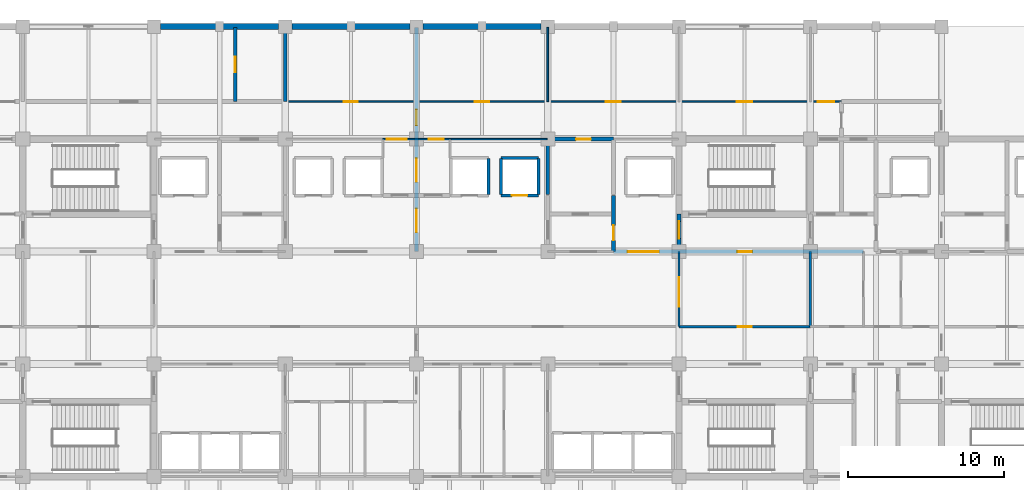
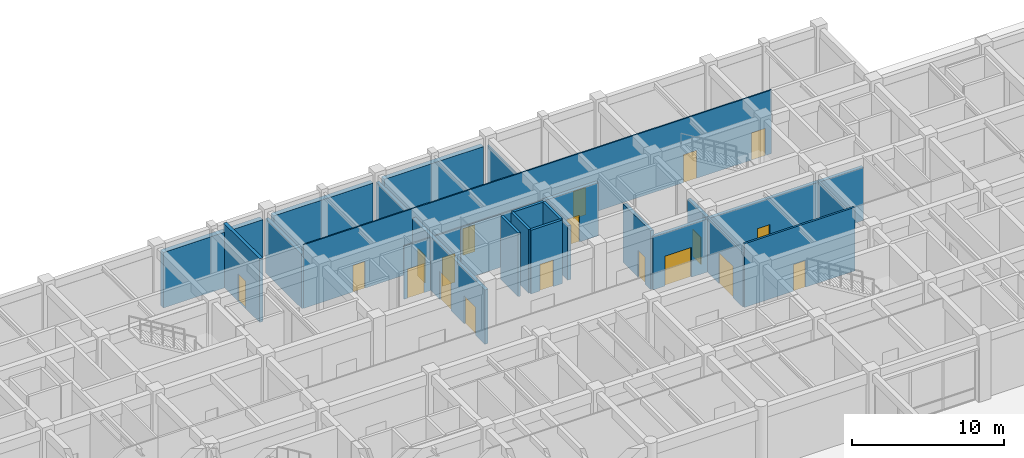
# One storey, part 51 of 73: 23 walls, 19 doors, 19 openings.
"""IFC4 building model written with IfcOpenShell, lengths in metres."""

from ifc_helpers import new_model, si_unit, direction, frame, frame_2d, origin, place, context, subcontext, project, spatial, rectangle, extrude, material, layer, layer_set, type_object, element, fill, save


model = new_model("IFC4")

# Units and contexts
model_context = context("Model", 3, precision=1e-05, world=origin(), true_north=direction((0.0, 1.0)))
body_context = subcontext(model_context, "Body", "Model", "MODEL_VIEW")
ifc_project = project(units=[si_unit("LENGTHUNIT", "METRE"), si_unit("AREAUNIT", "SQUARE_METRE"), si_unit("VOLUMEUNIT", "CUBIC_METRE"), si_unit("PLANEANGLEUNIT", "RADIAN"), si_unit("MASSUNIT", "GRAM", prefix="KILO")], contexts=[model_context])

# Site, building, storey
site_placement = place(None, origin())
site = spatial("IfcSite", under=ifc_project, at=site_placement, CompositionType="ELEMENT")
building_placement = place(site_placement, origin())
building = spatial("IfcBuilding", under=site, at=building_placement, Name="Chengyuan Square Courthouse", CompositionType="ELEMENT")
storey_placement = place(building_placement, origin())
storey = spatial("IfcBuildingStorey", under=building, at=storey_placement, Name="L01", CompositionType="ELEMENT", Elevation=0.0)

# Walls
ifc_material_1 = material(Name="Concrete C40", Category="concrete")
ifc_layer_1 = layer(ifc_material_1, 0.3798828125)
ifc_layer_set_1 = layer_set([ifc_layer_1], Name="Concrete C40")
wall_type_1 = type_object("IfcWallType", Name="WL-EW1", PredefinedType="STANDARD", material=ifc_layer_set_1)
wall_1_placement = place(storey_placement, frame((67.6201171875, 115.199951171875, 0.0), z_axis=(0.0, 0.0, 1.0), x_axis=(1.0, 0.0, 0.0)))
element("IfcWall", 1, at=wall_1_placement, inside=storey, type_object=wall_type_1, Name="Exterior Wall WL-L01-E172", PredefinedType="STANDARD", context=body_context, shape_type="SweptSolid", body=[
    extrude(rectangle(XDim=7.559814453125, YDim=0.3798828125, at=frame_2d((3.77978515625, 0.0))), origin(), (0.0, 0.0, 1.0), 4.469970703125),
])
for number, where, z_axis, x_axis, name in (
    (2, (76.02001953125, 115.199951171875, 0.0), (0.0, 0.0, 1.0), (1.0, 0.0, 0.0), "Exterior Wall WL-L01-E174"),
    (3, (84.419921875, 115.199951171875, 0.0), (0.0, 0.0, 1.0), (1.0, 0.0, 0.0), "Exterior Wall WL-L01-E176"),
):
    element("IfcWall", number, at=place(storey_placement, frame(where, z_axis=z_axis, x_axis=x_axis)), inside=storey, type_object=wall_type_1, Name=name, PredefinedType="STANDARD", context=body_context, shape_type="SweptSolid", body=[
        extrude(rectangle(XDim=7.56005859375, YDim=0.3798828125, at=frame_2d((3.780029296875, 0.0))), origin(), (0.0, 0.0, 1.0), 4.469970703125),
    ])

# Wall, openings, doors
ifc_layer_2 = layer(ifc_material_1, 0.25)
ifc_layer_set_2 = layer_set([ifc_layer_2], Name="Concrete C40")
wall_type_2 = type_object("IfcWallType", Name="WL-FW1", PredefinedType="STANDARD", material=ifc_layer_set_2)
wall_2_placement = place(storey_placement, frame((96.60009765625, 100.800048828125, 0.0), z_axis=(0.0, 0.0, 1.0), x_axis=(1.0, 0.0, 0.0)))
wall_2 = element("IfcWall", 4, at=wall_2_placement, inside=storey, type_object=wall_type_2, Name="Interior Wall WL-L01-I761", PredefinedType="STANDARD", context=body_context, shape_type="SweptSolid", body=[
    extrude(rectangle(XDim=16.0, YDim=0.25, at=frame_2d((8.0, 0.0))), origin(), (0.0, 0.0, 1.0), 4.27001953125),
])
opening_1_placement = place(wall_2_placement, frame((7.925048828125, 0.0, 0.0)))
opening_1 = element("IfcOpeningElement", 5, at=opening_1_placement, cuts=wall_2, Name="Opening DR-673", PredefinedType="OPENING", context=body_context, shape_type="SweptSolid", body=[
    extrude(rectangle(XDim=0.949951171875, YDim=2.14990234375, at=frame_2d((0.47509765625, 1.074951171875))), frame((0.0, 0.136962890625, 0.0), z_axis=(0.0, -1.0, 0.0), x_axis=(1.0, 0.0, 0.0)), (0.0, 0.0, 1.0), 0.27392578125),
])
opening_2_placement = place(wall_2_placement, frame((0.9150390625, 0.0, 0.0)))
opening_2 = element("IfcOpeningElement", 6, at=opening_2_placement, cuts=wall_2, Name="Opening DR-722", PredefinedType="OPENING", context=body_context, shape_type="SweptSolid", body=[
    extrude(rectangle(XDim=2.0, YDim=2.39990234375, at=frame_2d((1.0, 1.199951171875))), frame((0.0, 0.136962890625, 0.0), z_axis=(0.0, -1.0, 0.0), x_axis=(1.0, 0.0, 0.0)), (0.0, 0.0, 1.0), 0.27392578125),
])
ifc_material_2 = material(Name="Steel Q235B Fire Door", Category="steel")
door_type_1 = type_object("IfcDoorType", Name="DT-12", OperationType="NOTDEFINED", PredefinedType="DOOR", material=ifc_material_2)
door_1_placement = place(opening_1_placement, origin())
door_1 = element("IfcDoor", 7, at=door_1_placement, inside=storey, type_object=door_type_1, Name="Interior Door DR-673", OperationType="SINGLE_SWING_RIGHT", OverallHeight=2.14990234375, OverallWidth=0.949951171875, PredefinedType="DOOR", context=body_context, shape_type="SweptSolid", body=[
    extrude(rectangle(XDim=0.949951171875, YDim=2.14990234375, at=frame_2d((0.47509765625, 1.074951171875))), frame((0.0, 0.02490234375, 0.0), z_axis=(0.0, -1.0, 0.0), x_axis=(1.0, 0.0, 0.0)), (0.0, 0.0, 1.0), 0.050048828125),
])
fill(opening_1, door_1)
ifc_material_3 = material(Name="Steel Q235B Glazed Fire Door", Category="steel")
door_type_2 = type_object("IfcDoorType", Name="DT-20", OperationType="DOUBLE_DOOR_SINGLE_SWING", PredefinedType="DOOR", material=ifc_material_3)
door_2_placement = place(opening_2_placement, frame((2.0, 0.0, 0.0), z_axis=(0.0, 0.0, 1.0), x_axis=(-1.0, 0.0, 0.0)))
door_2 = element("IfcDoor", 8, at=door_2_placement, inside=storey, type_object=door_type_2, Name="Interior Door DR-722", OperationType="DOUBLE_DOOR_SINGLE_SWING", OverallHeight=2.39990234375, OverallWidth=2.0, PredefinedType="DOOR", context=body_context, shape_type="SweptSolid", body=[
    extrude(rectangle(XDim=2.0, YDim=2.39990234375, at=frame_2d((1.0, 1.199951171875))), frame((0.0, 0.02490234375, 0.0), z_axis=(0.0, -1.0, 0.0), x_axis=(1.0, 0.0, 0.0)), (0.0, 0.0, 1.0), 0.050048828125),
])
fill(opening_2, door_2)

# Wall, opening, door
wall_3_placement = place(storey_placement, frame((92.39990234375, 108.0, 0.0), z_axis=(0.0, 0.0, 1.0), x_axis=(1.0, 0.0, 0.0)))
wall_3 = element("IfcWall", 9, at=wall_3_placement, inside=storey, type_object=wall_type_2, Name="Interior Wall WL-L01-I812", PredefinedType="STANDARD", context=body_context, shape_type="SweptSolid", body=[
    extrude(rectangle(XDim=4.2001953125, YDim=0.25, at=frame_2d((2.10009765625, 0.0))), origin(), (0.0, 0.0, 1.0), 4.27001953125),
])
opening_3_placement = place(wall_3_placement, frame((1.81005859375, 0.0, 0.0)))
opening_3 = element("IfcOpeningElement", 10, at=opening_3_placement, cuts=wall_3, Name="Opening DR-721", PredefinedType="OPENING", context=body_context, shape_type="SweptSolid", body=[
    extrude(rectangle(XDim=0.949951171875, YDim=2.14990234375, at=frame_2d((0.47509765625, 1.074951171875))), frame((0.0, 0.136962890625, 0.0), z_axis=(0.0, -1.0, 0.0), x_axis=(1.0, 0.0, 0.0)), (0.0, 0.0, 1.0), 0.27392578125),
])
door_3_placement = place(opening_3_placement, origin())
door_3 = element("IfcDoor", 11, at=door_3_placement, inside=storey, type_object=door_type_1, Name="Interior Door DR-721", OperationType="SINGLE_SWING_LEFT", OverallHeight=2.14990234375, OverallWidth=0.949951171875, PredefinedType="DOOR", context=body_context, shape_type="SweptSolid", body=[
    extrude(rectangle(XDim=0.949951171875, YDim=2.14990234375, at=frame_2d((0.47509765625, 1.074951171875))), frame((0.0, 0.02490234375, 0.0), z_axis=(0.0, -1.0, 0.0), x_axis=(1.0, 0.0, 0.0)), (0.0, 0.0, 1.0), 0.050048828125),
])
fill(opening_3, door_3)

wall_4_placement = place(storey_placement, frame((72.39990234375, 110.39990234375, 0.0), z_axis=(0.0, 0.0, 1.0), x_axis=(0.0, 1.0, 0.0)))
wall_4 = element("IfcWall", 12, at=wall_4_placement, inside=storey, type_object=wall_type_2, Name="Interior Wall WL-L01-I899", PredefinedType="STANDARD", context=body_context, shape_type="SweptSolid", body=[
    extrude(rectangle(XDim=4.760009765625, YDim=0.25, at=frame_2d((2.3798828125, 0.0))), origin(), (0.0, 0.0, 1.0), 5.1201171875),
])
opening_4_placement = place(wall_4_placement, frame((1.8798828125, 0.0, 0.0)))
opening_4 = element("IfcOpeningElement", 13, at=opening_4_placement, cuts=wall_4, Name="Opening DR-906", PredefinedType="OPENING", context=body_context, shape_type="SweptSolid", body=[
    extrude(rectangle(XDim=1.0, YDim=2.199951171875, at=frame_2d((0.5, 1.10009765625))), frame((0.0, 0.136962890625, 0.0), z_axis=(0.0, -1.0, 0.0), x_axis=(1.0, 0.0, 0.0)), (0.0, 0.0, 1.0), 0.27392578125),
])
door_type_3 = type_object("IfcDoorType", Name="DT-11", OperationType="NOTDEFINED", PredefinedType="DOOR", material=ifc_material_2)
door_4_placement = place(opening_4_placement, origin())
door_4 = element("IfcDoor", 14, at=door_4_placement, inside=storey, type_object=door_type_3, Name="Interior Door DR-906", OperationType="SINGLE_SWING_LEFT", OverallHeight=2.199951171875, OverallWidth=1.0, PredefinedType="DOOR", context=body_context, shape_type="SweptSolid", body=[
    extrude(rectangle(XDim=1.0, YDim=2.199951171875, at=frame_2d((0.5, 1.10009765625))), frame((0.0, 0.02490234375, 0.0), z_axis=(0.0, -1.0, 0.0), x_axis=(1.0, 0.0, 0.0)), (0.0, 0.0, 1.0), 0.050048828125),
])
fill(opening_4, door_4)

# Wall
wall_5_placement = place(storey_placement, frame((75.60009765625, 110.39990234375, 0.0), z_axis=(0.0, 0.0, 1.0), x_axis=(0.0, 1.0, 0.0)))
element("IfcWall", 15, at=wall_5_placement, inside=storey, type_object=wall_type_2, Name="Interior Wall WL-L01-I907", PredefinedType="STANDARD", context=body_context, shape_type="SweptSolid", body=[
    extrude(rectangle(XDim=4.760009765625, YDim=0.25, at=frame_2d((2.3798828125, 0.0))), origin(), (0.0, 0.0, 1.0), 4.3701171875),
])

# Wall, openings, doors
wall_6_placement = place(storey_placement, frame((84.0, 100.800048828125, 0.0), z_axis=(0.0, 0.0, 1.0), x_axis=(0.0, 1.0, 0.0)))
wall_6 = element("IfcWall", 16, at=wall_6_placement, inside=storey, type_object=wall_type_2, Name="Interior Wall WL-L01-I916", PredefinedType="STANDARD", context=body_context, shape_type="SweptSolid", body=[
    extrude(rectangle(XDim=14.35986328125, YDim=0.25, at=frame_2d((7.179931640625, 0.0))), origin(), (0.0, 0.0, 1.0), 4.3701171875),
])
opening_5_placement = place(wall_6_placement, frame((1.235107421875, 0.0, 0.0)))
opening_5 = element("IfcOpeningElement", 17, at=opening_5_placement, cuts=wall_6, Name="Opening DR-733", PredefinedType="OPENING", context=body_context, shape_type="SweptSolid", body=[
    extrude(rectangle(XDim=1.5, YDim=2.25, at=frame_2d((0.75, 1.125))), frame((0.0, 0.136962890625, 0.0), z_axis=(0.0, -1.0, 0.0), x_axis=(1.0, 0.0, 0.0)), (0.0, 0.0, 1.0), 0.27392578125),
])
opening_6_placement = place(wall_6_placement, frame((4.465087890625, 0.0, 0.0)))
opening_6 = element("IfcOpeningElement", 18, at=opening_6_placement, cuts=wall_6, Name="Opening DR-893", PredefinedType="OPENING", context=body_context, shape_type="SweptSolid", body=[
    extrude(rectangle(XDim=1.5, YDim=2.25, at=frame_2d((0.75, 1.125))), frame((0.0, 0.136962890625, 0.0), z_axis=(0.0, -1.0, 0.0), x_axis=(1.0, 0.0, 0.0)), (0.0, 0.0, 1.0), 0.27392578125),
])
opening_7_placement = place(wall_6_placement, frame((8.0849609375, 0.0, 0.0)))
opening_7 = element("IfcOpeningElement", 19, at=opening_7_placement, cuts=wall_6, Name="Opening DR-897", PredefinedType="OPENING", context=body_context, shape_type="SweptSolid", body=[
    extrude(rectangle(XDim=1.0, YDim=2.199951171875, at=frame_2d((0.5, 1.10009765625))), frame((0.0, 0.136962890625, 0.0), z_axis=(0.0, -1.0, 0.0), x_axis=(1.0, 0.0, 0.0)), (0.0, 0.0, 1.0), 0.27392578125),
])
door_5_placement = place(opening_7_placement, origin())
door_5 = element("IfcDoor", 20, at=door_5_placement, inside=storey, type_object=door_type_3, Name="Interior Door DR-897", OperationType="SINGLE_SWING_RIGHT", OverallHeight=2.199951171875, OverallWidth=1.0, PredefinedType="DOOR", context=body_context, shape_type="SweptSolid", body=[
    extrude(rectangle(XDim=1.0, YDim=2.199951171875, at=frame_2d((0.5, 1.10009765625))), frame((0.0, 0.02490234375, 0.0), z_axis=(0.0, -1.0, 0.0), x_axis=(1.0, 0.0, 0.0)), (0.0, 0.0, 1.0), 0.050048828125),
])
fill(opening_7, door_5)
door_type_4 = type_object("IfcDoorType", Name="DT-19", OperationType="DOUBLE_DOOR_SINGLE_SWING", PredefinedType="DOOR", material=ifc_material_3)
door_6_placement = place(opening_5_placement, frame((1.5, 0.0, 0.0), z_axis=(0.0, 0.0, 1.0), x_axis=(-1.0, 0.0, 0.0)))
door_6 = element("IfcDoor", 21, at=door_6_placement, inside=storey, type_object=door_type_4, Name="Interior Door DR-733", OperationType="DOUBLE_DOOR_SINGLE_SWING", OverallHeight=2.25, OverallWidth=1.5, PredefinedType="DOOR", context=body_context, shape_type="SweptSolid", body=[
    extrude(rectangle(XDim=1.5, YDim=2.25, at=frame_2d((0.75, 1.125))), frame((0.0, 0.02490234375, 0.0), z_axis=(0.0, -1.0, 0.0), x_axis=(1.0, 0.0, 0.0)), (0.0, 0.0, 1.0), 0.050048828125),
])
fill(opening_5, door_6)
door_7_placement = place(opening_6_placement, frame((1.5, 0.0, 0.0), z_axis=(0.0, 0.0, 1.0), x_axis=(-1.0, 0.0, 0.0)))
door_7 = element("IfcDoor", 22, at=door_7_placement, inside=storey, type_object=door_type_4, Name="Interior Door DR-893", OperationType="DOUBLE_DOOR_SINGLE_SWING", OverallHeight=2.25, OverallWidth=1.5, PredefinedType="DOOR", context=body_context, shape_type="SweptSolid", body=[
    extrude(rectangle(XDim=1.5, YDim=2.25, at=frame_2d((0.75, 1.125))), frame((0.0, 0.02490234375, 0.0), z_axis=(0.0, -1.0, 0.0), x_axis=(1.0, 0.0, 0.0)), (0.0, 0.0, 1.0), 0.050048828125),
])
fill(opening_6, door_7)

# Wall
wall_7_placement = place(storey_placement, frame((92.39990234375, 104.449951171875, 0.0), z_axis=(0.0, 0.0, 1.0), x_axis=(0.0, 1.0, 0.0)))
element("IfcWall", 23, at=wall_7_placement, inside=storey, type_object=wall_type_2, Name="Interior Wall WL-L01-I927", PredefinedType="STANDARD", context=body_context, shape_type="SweptSolid", body=[
    extrude(rectangle(XDim=3.5, YDim=0.25, at=frame_2d((1.75, 0.0))), origin(), (0.0, 0.0, 1.0), 4.3701171875),
])

# Wall, opening, door
wall_8_placement = place(storey_placement, frame((96.60009765625, 100.800048828125, 0.0), z_axis=(0.0, 0.0, 1.0), x_axis=(0.0, 1.0, 0.0)))
wall_8 = element("IfcWall", 24, at=wall_8_placement, inside=storey, type_object=wall_type_2, Name="Interior Wall WL-L01-I931", PredefinedType="STANDARD", context=body_context, shape_type="SweptSolid", body=[
    extrude(rectangle(XDim=3.599853515625, YDim=0.25, at=frame_2d((1.7998046875, 0.0))), origin(), (0.0, 0.0, 1.0), 4.719970703125),
])
opening_8_placement = place(wall_8_placement, frame((0.72509765625, 0.0, 0.0)))
opening_8 = element("IfcOpeningElement", 25, at=opening_8_placement, cuts=wall_8, Name="Opening DR-718", PredefinedType="OPENING", context=body_context, shape_type="SweptSolid", body=[
    extrude(rectangle(XDim=0.949951171875, YDim=2.14990234375, at=frame_2d((0.47509765625, 1.074951171875))), frame((0.0, 0.136962890625, 0.0), z_axis=(0.0, -1.0, 0.0), x_axis=(1.0, 0.0, 0.0)), (0.0, 0.0, 1.0), 0.27392578125),
])
door_8_placement = place(opening_8_placement, origin())
door_8 = element("IfcDoor", 26, at=door_8_placement, inside=storey, type_object=door_type_1, Name="Interior Door DR-718", OperationType="SINGLE_SWING_LEFT", OverallHeight=2.14990234375, OverallWidth=0.949951171875, PredefinedType="DOOR", context=body_context, shape_type="SweptSolid", body=[
    extrude(rectangle(XDim=0.949951171875, YDim=2.14990234375, at=frame_2d((0.47509765625, 1.074951171875))), frame((0.0, 0.02490234375, 0.0), z_axis=(0.0, -1.0, 0.0), x_axis=(1.0, 0.0, 0.0)), (0.0, 0.0, 1.0), 0.050048828125),
])
fill(opening_8, door_8)

wall_9_placement = place(storey_placement, frame((100.800048828125, 100.800048828125, 0.0), z_axis=(0.0, 0.0, 1.0), x_axis=(0.0, 1.0, 0.0)))
wall_9 = element("IfcWall", 27, at=wall_9_placement, inside=storey, type_object=wall_type_2, Name="Interior Wall WL-L01-I942", PredefinedType="STANDARD", context=body_context, shape_type="SweptSolid", body=[
    extrude(rectangle(XDim=2.39990234375, YDim=0.25, at=frame_2d((1.199951171875, 0.0))), origin(), (0.0, 0.0, 1.0), 4.3701171875),
])
opening_9_placement = place(wall_9_placement, frame((0.8349609375, 0.0, 0.0)))
opening_9 = element("IfcOpeningElement", 28, at=opening_9_placement, cuts=wall_9, Name="Opening DR-671", PredefinedType="OPENING", context=body_context, shape_type="SweptSolid", body=[
    extrude(rectangle(XDim=1.10009765625, YDim=2.199951171875, at=frame_2d((0.550048828125, 1.10009765625))), frame((0.0, 0.136962890625, 0.0), z_axis=(0.0, -1.0, 0.0), x_axis=(1.0, 0.0, 0.0)), (0.0, 0.0, 1.0), 0.27392578125),
])
door_type_5 = type_object("IfcDoorType", Name="DT-10", OperationType="NOTDEFINED", PredefinedType="DOOR", material=ifc_material_2)
door_9_placement = place(opening_9_placement, origin())
door_9 = element("IfcDoor", 29, at=door_9_placement, inside=storey, type_object=door_type_5, Name="Interior Door DR-671", OperationType="SINGLE_SWING_RIGHT", OverallHeight=2.199951171875, OverallWidth=1.10009765625, PredefinedType="DOOR", context=body_context, shape_type="SweptSolid", body=[
    extrude(rectangle(XDim=1.10009765625, YDim=2.199951171875, at=frame_2d((0.550048828125, 1.10009765625))), frame((0.0, 0.02490234375, 0.0), z_axis=(0.0, -1.0, 0.0), x_axis=(1.0, 0.0, 0.0)), (0.0, 0.0, 1.0), 0.050048828125),
])
fill(opening_9, door_9)

ifc_material_4 = material(Name="Deliberation Room Sound-Insulated Partition")
ifc_layer_3 = layer(ifc_material_4, 0.14990234375)
ifc_layer_set_3 = layer_set([ifc_layer_3], Name="Deliberation Room Sound-Insulated Partition")
wall_type_3 = type_object("IfcWallType", Name="WL-PT3", PredefinedType="STANDARD", material=ifc_layer_set_3)
wall_10_placement = place(storey_placement, frame((100.800048828125, 96.0, 0.0), z_axis=(0.0, 0.0, 1.0), x_axis=(1.0, 0.0, 0.0)))
wall_10 = element("IfcWall", 30, at=wall_10_placement, inside=storey, type_object=wall_type_3, Name="Interior Wall WL-L01-I742", PredefinedType="STANDARD", context=body_context, shape_type="SweptSolid", body=[
    extrude(rectangle(XDim=8.39990234375, YDim=0.14990234375, at=frame_2d((4.199951171875, 0.0))), origin(), (0.0, 0.0, 1.0), 5.1201171875),
])
opening_10_placement = place(wall_10_placement, frame((3.75, 0.0, 0.0)))
opening_10 = element("IfcOpeningElement", 31, at=opening_10_placement, cuts=wall_10, Name="Opening DR-815", PredefinedType="OPENING", context=body_context, shape_type="SweptSolid", body=[
    extrude(rectangle(XDim=0.89990234375, YDim=2.14990234375, at=frame_2d((0.449951171875, 1.074951171875))), frame((0.0, 0.0869140625, 0.0), z_axis=(0.0, -1.0, 0.0), x_axis=(1.0, 0.0, 0.0)), (0.0, 0.0, 1.0), 0.173828125),
])
ifc_material_5 = material(Name="Acoustic Solid-Core Timber Door", Category="wood")
door_type_6 = type_object("IfcDoorType", Name="DT-27", OperationType="NOTDEFINED", PredefinedType="DOOR", material=ifc_material_5)
door_10_placement = place(opening_10_placement, origin())
door_10 = element("IfcDoor", 32, at=door_10_placement, inside=storey, type_object=door_type_6, Name="Interior Door DR-815", OperationType="SINGLE_SWING_RIGHT", OverallHeight=2.14990234375, OverallWidth=0.89990234375, PredefinedType="DOOR", context=body_context, shape_type="SweptSolid", body=[
    extrude(rectangle(XDim=0.89990234375, YDim=2.14990234375, at=frame_2d((0.449951171875, 1.074951171875))), frame((0.0, 0.02490234375, 0.0), z_axis=(0.0, -1.0, 0.0), x_axis=(1.0, 0.0, 0.0)), (0.0, 0.0, 1.0), 0.050048828125),
])
fill(opening_10, door_10)

wall_11_placement = place(storey_placement, frame((100.800048828125, 96.0, 0.0), z_axis=(0.0, 0.0, 1.0), x_axis=(0.0, 1.0, 0.0)))
wall_11 = element("IfcWall", 33, at=wall_11_placement, inside=storey, type_object=wall_type_3, Name="Interior Wall WL-L01-I941", PredefinedType="STANDARD", context=body_context, shape_type="SweptSolid", body=[
    extrude(rectangle(XDim=4.800048828125, YDim=0.14990234375, at=frame_2d((2.39990234375, 0.0))), origin(), (0.0, 0.0, 1.0), 4.3701171875),
])
opening_11_placement = place(wall_11_placement, frame((1.264892578125, 0.0, 0.0)))
opening_11 = element("IfcOpeningElement", 34, at=opening_11_placement, cuts=wall_11, Name="Opening DR-850", PredefinedType="OPENING", context=body_context, shape_type="SweptSolid", body=[
    extrude(rectangle(XDim=1.89990234375, YDim=2.5, at=frame_2d((0.949951171875, 1.25))), frame((0.0, 0.0869140625, 0.0), z_axis=(0.0, -1.0, 0.0), x_axis=(1.0, 0.0, 0.0)), (0.0, 0.0, 1.0), 0.173828125),
])
ifc_material_6 = material(Name="Acoustic Larch Veneer Double Door")
door_type_7 = type_object("IfcDoorType", Name="DT-26", OperationType="DOUBLE_DOOR_SINGLE_SWING", PredefinedType="DOOR", material=ifc_material_6)
door_11_placement = place(opening_11_placement, frame((1.89990234375, 0.0, 0.0), z_axis=(0.0, 0.0, 1.0), x_axis=(-1.0, 0.0, 0.0)))
door_11 = element("IfcDoor", 35, at=door_11_placement, inside=storey, type_object=door_type_7, Name="Interior Door DR-850", OperationType="DOUBLE_DOOR_SINGLE_SWING", OverallHeight=2.5, OverallWidth=1.89990234375, PredefinedType="DOOR", context=body_context, shape_type="SweptSolid", body=[
    extrude(rectangle(XDim=1.89990234375, YDim=2.5, at=frame_2d((0.949951171875, 1.25))), frame((0.0, 0.02490234375, 0.0), z_axis=(0.0, -1.0, 0.0), x_axis=(1.0, 0.0, 0.0)), (0.0, 0.0, 1.0), 0.050048828125),
])
fill(opening_11, door_11)

# Wall
wall_12_placement = place(storey_placement, frame((109.199951171875, 96.0, 0.0), z_axis=(0.0, 0.0, 1.0), x_axis=(0.0, 1.0, 0.0)))
element("IfcWall", 36, at=wall_12_placement, inside=storey, type_object=wall_type_3, Name="Interior Wall WL-L01-I949", PredefinedType="STANDARD", context=body_context, shape_type="SweptSolid", body=[
    extrude(rectangle(XDim=4.800048828125, YDim=0.14990234375, at=frame_2d((2.39990234375, 0.0))), origin(), (0.0, 0.0, 1.0), 4.3701171875),
])

# Wall, openings, doors
ifc_material_7 = material(Name="Gypsum Plasterboard Acoustic Stud Partition")
ifc_layer_4 = layer(ifc_material_7, 0.10009765625)
ifc_layer_set_4 = layer_set([ifc_layer_4], Name="Gypsum Plasterboard Acoustic Stud Partition")
wall_type_4 = type_object("IfcWallType", Name="WL-PT6", PredefinedType="STANDARD", material=ifc_layer_set_4)
wall_13_placement = place(storey_placement, frame((81.85009765625, 108.0, 0.0), z_axis=(0.0, 0.0, 1.0), x_axis=(1.0, 0.0, 0.0)))
wall_13 = element("IfcWall", 37, at=wall_13_placement, inside=storey, type_object=wall_type_4, Name="Interior Wall WL-L01-I810", PredefinedType="STANDARD", context=body_context, shape_type="SweptSolid", body=[
    extrude(rectangle(XDim=4.2998046875, YDim=0.10009765625, at=frame_2d((2.14990234375, 0.0))), origin(), (0.0, 0.0, 1.0), 4.27001953125),
])
opening_12_placement = place(wall_13_placement, frame((0.25, 0.0, 0.0)))
opening_12 = element("IfcOpeningElement", 38, at=opening_12_placement, cuts=wall_13, Name="Opening DR-894", PredefinedType="OPENING", context=body_context, shape_type="SweptSolid", body=[
    extrude(rectangle(XDim=1.280029296875, YDim=2.35009765625, at=frame_2d((0.64013671875, 1.175048828125))), frame((0.0, 0.06201171875, 0.0), z_axis=(0.0, -1.0, 0.0), x_axis=(1.0, 0.0, 0.0)), (0.0, 0.0, 1.0), 0.1240234375),
])
opening_13_placement = place(wall_13_placement, frame((2.93994140625, 0.0, 0.0)))
opening_13 = element("IfcOpeningElement", 39, at=opening_13_placement, cuts=wall_13, Name="Opening DR-895", PredefinedType="OPENING", context=body_context, shape_type="SweptSolid", body=[
    extrude(rectangle(XDim=0.93994140625, YDim=2.300048828125, at=frame_2d((0.469970703125, 1.14990234375))), frame((0.0, 0.06201171875, 0.0), z_axis=(0.0, -1.0, 0.0), x_axis=(1.0, 0.0, 0.0)), (0.0, 0.0, 1.0), 0.1240234375),
])
door_type_8 = type_object("IfcDoorType", Name="DT-38", OperationType="NOTDEFINED", PredefinedType="DOOR", material=ifc_material_5)
door_12_placement = place(opening_12_placement, origin())
door_12 = element("IfcDoor", 40, at=door_12_placement, inside=storey, type_object=door_type_8, Name="Interior Door DR-894", OperationType="SINGLE_SWING_LEFT", OverallHeight=2.35009765625, OverallWidth=1.280029296875, PredefinedType="DOOR", context=body_context, shape_type="SweptSolid", body=[
    extrude(rectangle(XDim=1.280029296875, YDim=2.35009765625, at=frame_2d((0.64013671875, 1.175048828125))), frame((0.0, 0.02490234375, 0.0), z_axis=(0.0, -1.0, 0.0), x_axis=(1.0, 0.0, 0.0)), (0.0, 0.0, 1.0), 0.050048828125),
])
fill(opening_12, door_12)
door_type_9 = type_object("IfcDoorType", Name="DT-39", OperationType="NOTDEFINED", PredefinedType="DOOR", material=ifc_material_5)
door_13_placement = place(opening_13_placement, origin())
door_13 = element("IfcDoor", 41, at=door_13_placement, inside=storey, type_object=door_type_9, Name="Interior Door DR-895", OperationType="SINGLE_SWING_RIGHT", OverallHeight=2.300048828125, OverallWidth=0.93994140625, PredefinedType="DOOR", context=body_context, shape_type="SweptSolid", body=[
    extrude(rectangle(XDim=0.93994140625, YDim=2.300048828125, at=frame_2d((0.469970703125, 1.14990234375))), frame((0.0, 0.02490234375, 0.0), z_axis=(0.0, -1.0, 0.0), x_axis=(1.0, 0.0, 0.0)), (0.0, 0.0, 1.0), 0.050048828125),
])
fill(opening_13, door_13)

# Wall
wall_14_placement = place(storey_placement, frame((86.199951171875, 108.0, 0.0), z_axis=(0.0, 0.0, 1.0), x_axis=(1.0, 0.0, 0.0)))
element("IfcWall", 42, at=wall_14_placement, inside=storey, type_object=wall_type_4, Name="Interior Wall WL-L01-I811", PredefinedType="STANDARD", context=body_context, shape_type="SweptSolid", body=[
    extrude(rectangle(XDim=6.150146484375, YDim=0.10009765625, at=frame_2d((3.0751953125, 0.0))), origin(), (0.0, 0.0, 1.0), 4.27001953125),
])

# Wall, openings, doors
wall_15_placement = place(storey_placement, frame((75.60009765625, 110.39990234375, 0.0), z_axis=(0.0, 0.0, 1.0), x_axis=(1.0, 0.0, 0.0)))
wall_15 = element("IfcWall", 43, at=wall_15_placement, inside=storey, type_object=wall_type_4, Name="Interior Wall WL-L01-I818", PredefinedType="STANDARD", context=body_context, shape_type="SweptSolid", body=[
    extrude(rectangle(XDim=35.599853515625, YDim=0.10009765625, at=frame_2d((17.7998046875, 0.0))), origin(), (0.0, 0.0, 1.0), 5.1201171875),
])
opening_14_placement = place(wall_15_placement, frame((3.75, 0.0, 0.0)))
opening_14 = element("IfcOpeningElement", 44, at=opening_14_placement, cuts=wall_15, Name="Opening DR-900", PredefinedType="OPENING", context=body_context, shape_type="SweptSolid", body=[
    extrude(rectangle(XDim=0.89990234375, YDim=2.14990234375, at=frame_2d((0.449951171875, 1.074951171875))), frame((0.0, 0.06201171875, 0.0), z_axis=(0.0, -1.0, 0.0), x_axis=(1.0, 0.0, 0.0)), (0.0, 0.0, 1.0), 0.1240234375),
])
opening_15_placement = place(wall_15_placement, frame((12.139892578125, 0.0, 0.0)))
opening_15 = element("IfcOpeningElement", 45, at=opening_15_placement, cuts=wall_15, Name="Opening DR-902", PredefinedType="OPENING", context=body_context, shape_type="SweptSolid", body=[
    extrude(rectangle(XDim=0.919921875, YDim=2.14990234375, at=frame_2d((0.4599609375, 1.074951171875))), frame((0.0, 0.06201171875, 0.0), z_axis=(0.0, -1.0, 0.0), x_axis=(1.0, 0.0, 0.0)), (0.0, 0.0, 1.0), 0.1240234375),
])
opening_16_placement = place(wall_15_placement, frame((20.52001953125, 0.0, 0.0)))
opening_16 = element("IfcOpeningElement", 46, at=opening_16_placement, cuts=wall_15, Name="Opening DR-903", PredefinedType="OPENING", context=body_context, shape_type="SweptSolid", body=[
    extrude(rectangle(XDim=0.9599609375, YDim=2.199951171875, at=frame_2d((0.47998046875, 1.10009765625))), frame((0.0, 0.06201171875, 0.0), z_axis=(0.0, -1.0, 0.0), x_axis=(1.0, 0.0, 0.0)), (0.0, 0.0, 1.0), 0.1240234375),
])
opening_17_placement = place(wall_15_placement, frame((28.89990234375, 0.0, 0.0)))
opening_17 = element("IfcOpeningElement", 47, at=opening_17_placement, cuts=wall_15, Name="Opening DR-904", PredefinedType="OPENING", context=body_context, shape_type="SweptSolid", body=[
    extrude(rectangle(XDim=1.0, YDim=2.25, at=frame_2d((0.5, 1.125))), frame((0.0, 0.06201171875, 0.0), z_axis=(0.0, -1.0, 0.0), x_axis=(1.0, 0.0, 0.0)), (0.0, 0.0, 1.0), 0.1240234375),
])
opening_18_placement = place(wall_15_placement, frame((34.080078125, 0.0, 0.0)))
opening_18 = element("IfcOpeningElement", 48, at=opening_18_placement, cuts=wall_15, Name="Opening DR-905", PredefinedType="OPENING", context=body_context, shape_type="SweptSolid", body=[
    extrude(rectangle(XDim=1.0400390625, YDim=2.199951171875, at=frame_2d((0.52001953125, 1.10009765625))), frame((0.0, 0.06201171875, 0.0), z_axis=(0.0, -1.0, 0.0), x_axis=(1.0, 0.0, 0.0)), (0.0, 0.0, 1.0), 0.1240234375),
])
door_14_placement = place(opening_14_placement, origin())
door_14 = element("IfcDoor", 49, at=door_14_placement, inside=storey, type_object=door_type_6, Name="Interior Door DR-900", OperationType="SINGLE_SWING_LEFT", OverallHeight=2.14990234375, OverallWidth=0.89990234375, PredefinedType="DOOR", context=body_context, shape_type="SweptSolid", body=[
    extrude(rectangle(XDim=0.89990234375, YDim=2.14990234375, at=frame_2d((0.449951171875, 1.074951171875))), frame((0.0, 0.02490234375, 0.0), z_axis=(0.0, -1.0, 0.0), x_axis=(1.0, 0.0, 0.0)), (0.0, 0.0, 1.0), 0.050048828125),
])
fill(opening_14, door_14)
door_type_10 = type_object("IfcDoorType", Name="DT-29", OperationType="NOTDEFINED", PredefinedType="DOOR", material=ifc_material_5)
door_15_placement = place(opening_15_placement, origin())
door_15 = element("IfcDoor", 50, at=door_15_placement, inside=storey, type_object=door_type_10, Name="Interior Door DR-902", OperationType="SINGLE_SWING_LEFT", OverallHeight=2.14990234375, OverallWidth=0.919921875, PredefinedType="DOOR", context=body_context, shape_type="SweptSolid", body=[
    extrude(rectangle(XDim=0.919921875, YDim=2.14990234375, at=frame_2d((0.4599609375, 1.074951171875))), frame((0.0, 0.02490234375, 0.0), z_axis=(0.0, -1.0, 0.0), x_axis=(1.0, 0.0, 0.0)), (0.0, 0.0, 1.0), 0.050048828125),
])
fill(opening_15, door_15)
door_type_11 = type_object("IfcDoorType", Name="DT-30", OperationType="NOTDEFINED", PredefinedType="DOOR", material=ifc_material_5)
door_16_placement = place(opening_16_placement, origin())
door_16 = element("IfcDoor", 51, at=door_16_placement, inside=storey, type_object=door_type_11, Name="Interior Door DR-903", OperationType="SINGLE_SWING_RIGHT", OverallHeight=2.199951171875, OverallWidth=0.9599609375, PredefinedType="DOOR", context=body_context, shape_type="SweptSolid", body=[
    extrude(rectangle(XDim=0.9599609375, YDim=2.199951171875, at=frame_2d((0.47998046875, 1.10009765625))), frame((0.0, 0.02490234375, 0.0), z_axis=(0.0, -1.0, 0.0), x_axis=(1.0, 0.0, 0.0)), (0.0, 0.0, 1.0), 0.050048828125),
])
fill(opening_16, door_16)
door_type_12 = type_object("IfcDoorType", Name="DT-31", OperationType="NOTDEFINED", PredefinedType="DOOR", material=ifc_material_5)
door_17_placement = place(opening_17_placement, origin())
door_17 = element("IfcDoor", 52, at=door_17_placement, inside=storey, type_object=door_type_12, Name="Interior Door DR-904", OperationType="SINGLE_SWING_LEFT", OverallHeight=2.25, OverallWidth=1.0, PredefinedType="DOOR", context=body_context, shape_type="SweptSolid", body=[
    extrude(rectangle(XDim=1.0, YDim=2.25, at=frame_2d((0.5, 1.125))), frame((0.0, 0.02490234375, 0.0), z_axis=(0.0, -1.0, 0.0), x_axis=(1.0, 0.0, 0.0)), (0.0, 0.0, 1.0), 0.050048828125),
])
fill(opening_17, door_17)
door_type_13 = type_object("IfcDoorType", Name="DT-32", OperationType="NOTDEFINED", PredefinedType="DOOR", material=ifc_material_5)
door_18_placement = place(opening_18_placement, origin())
door_18 = element("IfcDoor", 53, at=door_18_placement, inside=storey, type_object=door_type_13, Name="Interior Door DR-905", OperationType="SINGLE_SWING_RIGHT", OverallHeight=2.199951171875, OverallWidth=1.0400390625, PredefinedType="DOOR", context=body_context, shape_type="SweptSolid", body=[
    extrude(rectangle(XDim=1.0400390625, YDim=2.199951171875, at=frame_2d((0.52001953125, 1.10009765625))), frame((0.0, 0.02490234375, 0.0), z_axis=(0.0, -1.0, 0.0), x_axis=(1.0, 0.0, 0.0)), (0.0, 0.0, 1.0), 0.050048828125),
])
fill(opening_18, door_18)

# Wall
wall_16_placement = place(storey_placement, frame((92.39990234375, 110.39990234375, 0.0), z_axis=(0.0, 0.0, 1.0), x_axis=(0.0, 1.0, 0.0)))
element("IfcWall", 54, at=wall_16_placement, inside=storey, type_object=wall_type_4, Name="Interior Wall WL-L01-I928", PredefinedType="STANDARD", context=body_context, shape_type="SweptSolid", body=[
    extrude(rectangle(XDim=4.760009765625, YDim=0.10009765625, at=frame_2d((2.3798828125, 0.0))), origin(), (0.0, 0.0, 1.0), 4.3701171875),
])

# Wall, opening, door
ifc_material_8 = material(Name="Reinforced Masonry Shaft Enclosure", Category="masonry")
ifc_layer_5 = layer(ifc_material_8, 0.199951171875)
ifc_layer_set_5 = layer_set([ifc_layer_5], Name="Reinforced Masonry Shaft Enclosure")
wall_type_5 = type_object("IfcWallType", Name="WL-SH1", PredefinedType="STANDARD", material=ifc_layer_set_5)
wall_17_placement = place(storey_placement, frame((89.39990234375, 104.39990234375, 0.0), z_axis=(0.0, 0.0, 1.0), x_axis=(1.0, 0.0, 0.0)))
wall_17 = element("IfcWall", 55, at=wall_17_placement, inside=storey, type_object=wall_type_5, Name="Interior Wall WL-L01-I789", PredefinedType="STANDARD", context=body_context, shape_type="SweptSolid", body=[
    extrude(rectangle(XDim=2.400146484375, YDim=0.199951171875, at=frame_2d((1.2001953125, 0.0))), origin(), (0.0, 0.0, 1.0), 5.1201171875),
])
opening_19_placement = place(wall_17_placement, frame((0.699951171875, 0.0, 0.0)))
opening_19 = element("IfcOpeningElement", 56, at=opening_19_placement, cuts=wall_17, Name="Opening LD-028", PredefinedType="OPENING", context=body_context, shape_type="SweptSolid", body=[
    extrude(rectangle(XDim=1.0, YDim=2.14990234375, at=frame_2d((0.5, 1.074951171875))), frame((0.0, 0.112060546875, 0.0), z_axis=(0.0, -1.0, 0.0), x_axis=(1.0, 0.0, 0.0)), (0.0, 0.0, 1.0), 0.223876953125),
])
ifc_material_9 = material(Name="Stainless Steel S30408 Lift Landing Door", Category="steel")
door_type_14 = type_object("IfcDoorType", Name="DT-07", OperationType="DOUBLE_DOOR_SLIDING", PredefinedType="DOOR", material=ifc_material_9)
door_19_placement = place(opening_19_placement, origin())
door_19 = element("IfcDoor", 57, at=door_19_placement, inside=storey, type_object=door_type_14, Name="Lift Landing Door LF-J4 L01", OperationType="DOUBLE_DOOR_SLIDING", OverallHeight=2.14990234375, OverallWidth=1.0, PredefinedType="DOOR", context=body_context, shape_type="SweptSolid", body=[
    extrude(rectangle(XDim=1.0, YDim=2.14990234375, at=frame_2d((0.5, 1.074951171875))), frame((0.0, 0.02490234375, 0.0), z_axis=(0.0, -1.0, 0.0), x_axis=(1.0, 0.0, 0.0)), (0.0, 0.0, 1.0), 0.050048828125),
])
fill(opening_19, door_19)

# Walls
wall_18_placement = place(storey_placement, frame((89.39990234375, 106.800048828125, 0.0), z_axis=(0.0, 0.0, 1.0), x_axis=(1.0, 0.0, 0.0)))
element("IfcWall", 58, at=wall_18_placement, inside=storey, type_object=wall_type_5, Name="Interior Wall WL-L01-I800", PredefinedType="STANDARD", context=body_context, shape_type="SweptSolid", body=[
    extrude(rectangle(XDim=2.400146484375, YDim=0.199951171875, at=frame_2d((1.2001953125, 0.0))), origin(), (0.0, 0.0, 1.0), 5.1201171875),
])
for number, where, z_axis, x_axis, name in (
    (59, (88.60009765625, 104.449951171875, 0.0), (0.0, 0.0, 1.0), (0.0, 1.0, 0.0), "Interior Wall WL-L01-I920"),
    (60, (89.39990234375, 104.449951171875, 0.0), (0.0, 0.0, 1.0), (0.0, 1.0, 0.0), "Interior Wall WL-L01-I921"),
    (61, (91.800048828125, 104.449951171875, 0.0), (0.0, 0.0, 1.0), (0.0, 1.0, 0.0), "Interior Wall WL-L01-I923"),
):
    element("IfcWall", number, at=place(storey_placement, frame(where, z_axis=z_axis, x_axis=x_axis)), inside=storey, type_object=wall_type_5, Name=name, PredefinedType="STANDARD", context=body_context, shape_type="SweptSolid", body=[
        extrude(rectangle(XDim=2.300048828125, YDim=0.199951171875, at=frame_2d((1.14990234375, 0.0))), origin(), (0.0, 0.0, 1.0), 5.1201171875),
    ])

save(model, "model.ifc")
